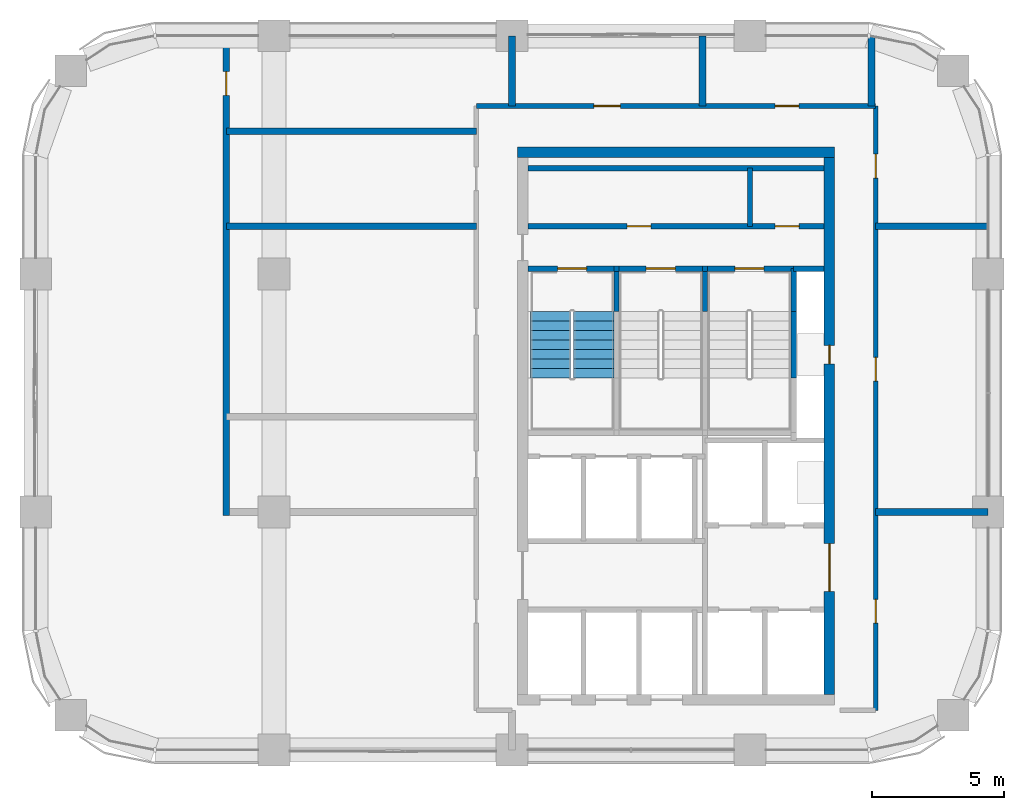
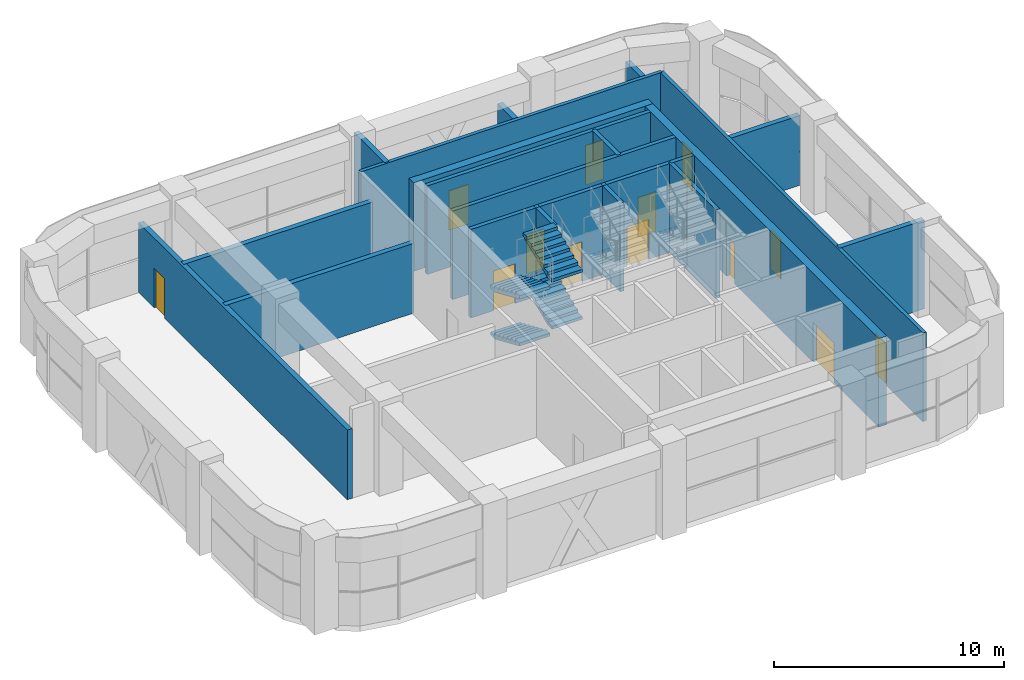
# One storey, part 9 of 15: 25 walls, 13 doors, 4 stair flights, 13 openings, 1 element without a shape of its own.
"""IFC4 building model written with IfcOpenShell, lengths in metres."""

from ifc_helpers import new_model, si_unit, direction, frame, frame_2d, origin, place, context, subcontext, project, spatial, polyline, rectangle, outline, extrude, material, layer, layer_set, type_object, element, fill, aggregate, save


model = new_model("IFC4")

# Units and contexts
model_context = context("Model", 3, precision=1e-05, world=origin(), true_north=direction((0.0, 1.0)))
body_context = subcontext(model_context, "Body", "Model", "MODEL_VIEW")
ifc_project = project(units=[si_unit("LENGTHUNIT", "METRE"), si_unit("AREAUNIT", "SQUARE_METRE"), si_unit("VOLUMEUNIT", "CUBIC_METRE"), si_unit("PLANEANGLEUNIT", "RADIAN"), si_unit("MASSUNIT", "GRAM", prefix="KILO")], contexts=[model_context])

# Site, building, storey
site_placement = place(None, origin())
site = spatial("IfcSite", under=ifc_project, at=site_placement, CompositionType="ELEMENT")
building_placement = place(site_placement, origin())
building = spatial("IfcBuilding", under=site, at=building_placement, Name="Tessera Arch", CompositionType="ELEMENT")
storey_placement = place(building_placement, frame((0.0, 0.0, 285.199951171875)))
storey = spatial("IfcBuildingStorey", under=building, at=storey_placement, Name="L69", CompositionType="ELEMENT", Elevation=285.199951171875)

# Wall
ifc_material_1 = material(Name="Gypsum board on steel stud", Category="steel")
ifc_layer_1 = layer(ifc_material_1, 0.125)
ifc_layer_set_1 = layer_set([ifc_layer_1], Name="Core partition 125 EI 60")
wall_type_1 = type_object("IfcWallType", Name="Core partition 125 EI 60", PredefinedType="PARTITIONING", material=ifc_layer_set_1)
wall_1_placement = place(storey_placement, frame((45.0, 46.800048828125, 0.0), z_axis=(0.0, 0.0, 1.0), x_axis=(0.0, 1.0, 0.0)))
element("IfcWall", 1, at=wall_1_placement, inside=storey, type_object=wall_type_1, Name="L69 C1 partition wall 14", PredefinedType="PARTITIONING", context=body_context, shape_type="SweptSolid", body=[
    extrude(rectangle(XDim=2.199951171875, YDim=0.199951171875, at=frame_2d((1.10009765625, 0.0))), origin(), (0.0, 0.0, 1.0), 4.699951171875),
])

# Wall, openings, doors
wall_2_placement = place(storey_placement, frame((36.60009765625, 46.800048828125, 0.0), z_axis=(0.0, 0.0, 1.0), x_axis=(1.0, 0.0, 0.0)))
wall_2 = element("IfcWall", 2, at=wall_2_placement, inside=storey, type_object=wall_type_1, Name="L69 C1 partition wall 38", PredefinedType="PARTITIONING", context=body_context, shape_type="SweptSolid", body=[
    extrude(rectangle(XDim=11.199951171875, YDim=0.199951171875, at=frame_2d((5.60009765625, 0.0))), origin(), (0.0, 0.0, 1.0), 4.699951171875),
])
opening_1_placement = place(wall_2_placement, frame((3.75, 0.0, 0.0)))
opening_1 = element("IfcOpeningElement", 3, at=opening_1_placement, cuts=wall_2, Name="Opening L69-C18", PredefinedType="OPENING", context=body_context, shape_type="SweptSolid", body=[
    extrude(rectangle(XDim=0.89990234375, YDim=2.10009765625, at=frame_2d((0.449951171875, 1.050048828125))), frame((0.0, 0.10986328125, 0.0), z_axis=(0.0, -1.0, 0.0), x_axis=(1.0, 0.0, 0.0)), (0.0, 0.0, 1.0), 0.219970703125),
])
opening_2_placement = place(wall_2_placement, frame((9.35009765625, 0.0, 0.0)))
opening_2 = element("IfcOpeningElement", 4, at=opening_2_placement, cuts=wall_2, Name="Opening L69-C19", PredefinedType="OPENING", context=body_context, shape_type="SweptSolid", body=[
    extrude(rectangle(XDim=0.89990234375, YDim=2.10009765625, at=frame_2d((0.449951171875, 1.050048828125))), frame((0.0, 0.10986328125, 0.0), z_axis=(0.0, -1.0, 0.0), x_axis=(1.0, 0.0, 0.0)), (0.0, 0.0, 1.0), 0.219970703125),
])
ifc_material_2 = material(Name="Steel door leaf", Category="steel")
door_type_1 = type_object("IfcDoorType", Name="Store door FD30S 900 x 2100", OperationType="SINGLE_SWING_LEFT", PredefinedType="DOOR", material=ifc_material_2)
door_1_placement = place(opening_1_placement, origin())
door_1 = element("IfcDoor", 5, at=door_1_placement, inside=storey, type_object=door_type_1, Name="L69 C1 door 18 C18 type D09", OperationType="SINGLE_SWING_LEFT", OverallHeight=2.10009765625, OverallWidth=0.89990234375, PredefinedType="DOOR", context=body_context, shape_type="SweptSolid", body=[
    extrude(rectangle(XDim=0.89990234375, YDim=2.10009765625, at=frame_2d((0.449951171875, 1.050048828125))), frame((0.0, 0.02490234375, 0.0), z_axis=(0.0, -1.0, 0.0), x_axis=(1.0, 0.0, 0.0)), (0.0, 0.0, 1.0), 0.050048828125),
])
fill(opening_1, door_1)
door_2_placement = place(opening_2_placement, origin())
door_2 = element("IfcDoor", 6, at=door_2_placement, inside=storey, type_object=door_type_1, Name="L69 C1 door 19 C19 type D09", OperationType="SINGLE_SWING_RIGHT", OverallHeight=2.10009765625, OverallWidth=0.89990234375, PredefinedType="DOOR", context=body_context, shape_type="SweptSolid", body=[
    extrude(rectangle(XDim=0.89990234375, YDim=2.10009765625, at=frame_2d((0.449951171875, 1.050048828125))), frame((0.0, 0.02490234375, 0.0), z_axis=(0.0, -1.0, 0.0), x_axis=(1.0, 0.0, 0.0)), (0.0, 0.0, 1.0), 0.050048828125),
])
fill(opening_2, door_2)

# Walls
wall_3_placement = place(storey_placement, frame((36.60009765625, 49.0, 0.0), z_axis=(0.0, 0.0, 1.0), x_axis=(1.0, 0.0, 0.0)))
element("IfcWall", 7, at=wall_3_placement, inside=storey, type_object=wall_type_1, Name="L69 C1 partition wall 39", PredefinedType="PARTITIONING", context=body_context, shape_type="SweptSolid", body=[
    extrude(rectangle(XDim=11.199951171875, YDim=0.199951171875, at=frame_2d((5.60009765625, 0.0))), origin(), (0.0, 0.0, 1.0), 4.699951171875),
])
ifc_material_3 = material(Name="Concrete C50/60", Category="concrete")
ifc_layer_2 = layer(ifc_material_3, 0.39990234375)
ifc_layer_set_2 = layer_set([ifc_layer_2], Name="Core shell wall 400 C50-60")
wall_type_2 = type_object("IfcWallType", Name="Core shell wall 400 C50-60", PredefinedType="SHEAR", material=ifc_layer_set_2)
wall_4_placement = place(storey_placement, frame((36.199951171875, 49.60009765625, 0.0), z_axis=(0.0, 0.0, 1.0), x_axis=(1.0, 0.0, 0.0)))
element("IfcWall", 8, at=wall_4_placement, inside=storey, type_object=wall_type_2, Name="L69 C1 core wall N", PredefinedType="SHEAR", context=body_context, shape_type="SweptSolid", body=[
    extrude(rectangle(XDim=12.0, YDim=0.39990234375, at=frame_2d((6.0, 0.0))), origin(), (0.0, 0.0, 1.0), 4.699951171875),
])

# Wall, openings, doors
wall_5_placement = place(storey_placement, frame((48.0, 29.10009765625, 0.0), z_axis=(0.0, 0.0, 1.0), x_axis=(0.0, 1.0, 0.0)))
wall_5 = element("IfcWall", 9, at=wall_5_placement, inside=storey, type_object=wall_type_2, Name="L69 C1 core wall E", PredefinedType="SHEAR", context=body_context, shape_type="SweptSolid", body=[
    extrude(rectangle(XDim=20.2998046875, YDim=0.39990234375, at=frame_2d((10.14990234375, 0.0))), origin(), (0.0, 0.0, 1.0), 4.699951171875),
])
opening_3_placement = place(wall_5_placement, frame((12.5, 0.0, 0.0)))
opening_3 = element("IfcOpeningElement", 10, at=opening_3_placement, cuts=wall_5, Name="Opening L69-C14", PredefinedType="OPENING", context=body_context, shape_type="SweptSolid", body=[
    extrude(rectangle(XDim=0.699951171875, YDim=2.10009765625, at=frame_2d((0.35009765625, 1.050048828125))), frame((0.0, 0.2099609375, 0.0), z_axis=(0.0, -1.0, 0.0), x_axis=(1.0, 0.0, 0.0)), (0.0, 0.0, 1.0), 0.419921875),
])
opening_4_placement = place(wall_5_placement, frame((3.89990234375, 0.0, 0.0)))
opening_4 = element("IfcOpeningElement", 11, at=opening_4_placement, cuts=wall_5, Name="Opening L69-C15", PredefinedType="OPENING", context=body_context, shape_type="SweptSolid", body=[
    extrude(rectangle(XDim=1.800048828125, YDim=2.10009765625, at=frame_2d((0.89990234375, 1.050048828125))), frame((0.0, 0.2099609375, 0.0), z_axis=(0.0, -1.0, 0.0), x_axis=(1.0, 0.0, 0.0)), (0.0, 0.0, 1.0), 0.419921875),
])
ifc_material_4 = material(Name="Glazed steel door leaf", Category="steel")
door_type_2 = type_object("IfcDoorType", Name="Lobby double door FD60 1800 x 2100", OperationType="DOUBLE_DOOR_SINGLE_SWING", PredefinedType="DOOR", material=ifc_material_4)
door_3_placement = place(opening_4_placement, origin())
door_3 = element("IfcDoor", 12, at=door_3_placement, inside=storey, type_object=door_type_2, Name="L69 C1 door 15 C15 type D19", OperationType="DOUBLE_DOOR_SINGLE_SWING", OverallHeight=2.10009765625, OverallWidth=1.800048828125, PredefinedType="DOOR", context=body_context, shape_type="SweptSolid", body=[
    extrude(rectangle(XDim=1.800048828125, YDim=2.10009765625, at=frame_2d((0.89990234375, 1.050048828125))), frame((0.0, 0.02490234375, 0.0), z_axis=(0.0, -1.0, 0.0), x_axis=(1.0, 0.0, 0.0)), (0.0, 0.0, 1.0), 0.050048828125),
])
fill(opening_4, door_3)
ifc_material_5 = material(Name="Steel door leaf", Category="steel")
door_type_3 = type_object("IfcDoorType", Name="Service shaft door FD60 700 x 2100", OperationType="SINGLE_SWING_LEFT", PredefinedType="DOOR", material=ifc_material_5)
door_4_placement = place(opening_3_placement, origin())
door_4 = element("IfcDoor", 13, at=door_4_placement, inside=storey, type_object=door_type_3, Name="L69 C1 door 14 C14 type D07", OperationType="SINGLE_SWING_RIGHT", OverallHeight=2.10009765625, OverallWidth=0.699951171875, PredefinedType="DOOR", context=body_context, shape_type="SweptSolid", body=[
    extrude(rectangle(XDim=0.699951171875, YDim=2.10009765625, at=frame_2d((0.35009765625, 1.050048828125))), frame((0.0, 0.02490234375, 0.0), z_axis=(0.0, -1.0, 0.0), x_axis=(1.0, 0.0, 0.0)), (0.0, 0.0, 1.0), 0.050048828125),
])
fill(opening_3, door_4)

ifc_material_6 = material(Name="Gypsum board on deep steel stud with mineral wool", Category="steel")
ifc_layer_3 = layer(ifc_material_6, 0.175048828125)
ifc_layer_set_3 = layer_set([ifc_layer_3], Name="Corridor wall 175 EI 60")
wall_type_3 = type_object("IfcWallType", Name="Corridor wall 175 EI 60", PredefinedType="PARTITIONING", material=ifc_layer_set_3)
wall_6_placement = place(storey_placement, frame((34.64990234375, 51.35009765625, 0.0), z_axis=(0.0, 0.0, 1.0), x_axis=(1.0, 0.0, 0.0)))
wall_6 = element("IfcWall", 14, at=wall_6_placement, inside=storey, type_object=wall_type_3, Name="L69 partition 3", PredefinedType="PARTITIONING", context=body_context, shape_type="SweptSolid", body=[
    extrude(rectangle(XDim=15.10009765625, YDim=0.175048828125, at=frame_2d((7.550048828125, 0.0))), origin(), (0.0, 0.0, 1.0), 4.699951171875),
])
opening_5_placement = place(wall_6_placement, frame((4.449951171875, 0.0, 0.0)))
opening_5 = element("IfcOpeningElement", 15, at=opening_5_placement, cuts=wall_6, Name="Opening L69-D008", PredefinedType="OPENING", context=body_context, shape_type="SweptSolid", body=[
    extrude(rectangle(XDim=1.0, YDim=2.10009765625, at=frame_2d((0.5, 1.050048828125))), frame((0.0, 0.097412109375, 0.0), z_axis=(0.0, -1.0, 0.0), x_axis=(1.0, 0.0, 0.0)), (0.0, 0.0, 1.0), 0.195068359375),
])
opening_6_placement = place(wall_6_placement, frame((11.294189453125, 0.0, 0.0)))
opening_6 = element("IfcOpeningElement", 16, at=opening_6_placement, cuts=wall_6, Name="Opening L69-D009", PredefinedType="OPENING", context=body_context, shape_type="SweptSolid", body=[
    extrude(rectangle(XDim=0.89990234375, YDim=2.10009765625, at=frame_2d((0.449951171875, 1.050048828125))), frame((0.0, 0.097412109375, 0.0), z_axis=(0.0, -1.0, 0.0), x_axis=(1.0, 0.0, 0.0)), (0.0, 0.0, 1.0), 0.195068359375),
])
ifc_material_7 = material(Name="Fire-rated door leaf")
door_type_4 = type_object("IfcDoorType", Name="Entrance door FD30S 1000 x 2100", OperationType="SINGLE_SWING_LEFT", PredefinedType="DOOR", material=ifc_material_7)
door_5_placement = place(opening_5_placement, origin())
door_5 = element("IfcDoor", 17, at=door_5_placement, inside=storey, type_object=door_type_4, Name="L69 door D008 type D03", OperationType="SINGLE_SWING_LEFT", OverallHeight=2.10009765625, OverallWidth=1.0, PredefinedType="DOOR", context=body_context, shape_type="SweptSolid", body=[
    extrude(rectangle(XDim=1.0, YDim=2.10009765625, at=frame_2d((0.5, 1.050048828125))), frame((0.0, 0.02490234375, 0.0), z_axis=(0.0, -1.0, 0.0), x_axis=(1.0, 0.0, 0.0)), (0.0, 0.0, 1.0), 0.050048828125),
])
fill(opening_5, door_5)
ifc_material_8 = material(Name="Timber door leaf", Category="wood")
door_type_5 = type_object("IfcDoorType", Name="Room door 900 x 2100", OperationType="SINGLE_SWING_LEFT", PredefinedType="DOOR", material=ifc_material_8)
door_6_placement = place(opening_6_placement, origin())
door_6 = element("IfcDoor", 18, at=door_6_placement, inside=storey, type_object=door_type_5, Name="L69 door D009 type D01", OperationType="SINGLE_SWING_RIGHT", OverallHeight=2.10009765625, OverallWidth=0.89990234375, PredefinedType="DOOR", context=body_context, shape_type="SweptSolid", body=[
    extrude(rectangle(XDim=0.89990234375, YDim=2.10009765625, at=frame_2d((0.449951171875, 1.050048828125))), frame((0.0, 0.02490234375, 0.0), z_axis=(0.0, -1.0, 0.0), x_axis=(1.0, 0.0, 0.0)), (0.0, 0.0, 1.0), 0.050048828125),
])
fill(opening_6, door_6)

wall_7_placement = place(storey_placement, frame((49.75, 28.5, 0.0), z_axis=(0.0, 0.0, 1.0), x_axis=(0.0, 1.0, 0.0)))
wall_7 = element("IfcWall", 19, at=wall_7_placement, inside=storey, type_object=wall_type_3, Name="L69 partition 5", PredefinedType="PARTITIONING", context=body_context, shape_type="SweptSolid", body=[
    extrude(rectangle(XDim=22.85009765625, YDim=0.175048828125, at=frame_2d((11.425048828125, 0.0))), origin(), (0.0, 0.0, 1.0), 4.699951171875),
])
opening_7_placement = place(wall_7_placement, frame((3.300048828125, 0.0, 0.0)))
opening_7 = element("IfcOpeningElement", 20, at=opening_7_placement, cuts=wall_7, Name="Opening L69-D001", PredefinedType="OPENING", context=body_context, shape_type="SweptSolid", body=[
    extrude(rectangle(XDim=0.89990234375, YDim=2.10009765625, at=frame_2d((0.449951171875, 1.050048828125))), frame((0.0, 0.097412109375, 0.0), z_axis=(0.0, -1.0, 0.0), x_axis=(1.0, 0.0, 0.0)), (0.0, 0.0, 1.0), 0.195068359375),
])
opening_8_placement = place(wall_7_placement, frame((12.449951171875, 0.0, 0.0)))
opening_8 = element("IfcOpeningElement", 21, at=opening_8_placement, cuts=wall_7, Name="Opening L69-D004", PredefinedType="OPENING", context=body_context, shape_type="SweptSolid", body=[
    extrude(rectangle(XDim=0.89990234375, YDim=2.10009765625, at=frame_2d((0.449951171875, 1.050048828125))), frame((0.0, 0.097412109375, 0.0), z_axis=(0.0, -1.0, 0.0), x_axis=(1.0, 0.0, 0.0)), (0.0, 0.0, 1.0), 0.195068359375),
])
opening_9_placement = place(wall_7_placement, frame((20.125, 0.0, 0.0)))
opening_9 = element("IfcOpeningElement", 22, at=opening_9_placement, cuts=wall_7, Name="Opening L69-D007", PredefinedType="OPENING", context=body_context, shape_type="SweptSolid", body=[
    extrude(rectangle(XDim=0.89990234375, YDim=2.10009765625, at=frame_2d((0.449951171875, 1.050048828125))), frame((0.0, 0.097412109375, 0.0), z_axis=(0.0, -1.0, 0.0), x_axis=(1.0, 0.0, 0.0)), (0.0, 0.0, 1.0), 0.195068359375),
])
door_7_placement = place(opening_7_placement, origin())
door_7 = element("IfcDoor", 23, at=door_7_placement, inside=storey, type_object=door_type_5, Name="L69 door D001 type D01", OperationType="SINGLE_SWING_RIGHT", OverallHeight=2.10009765625, OverallWidth=0.89990234375, PredefinedType="DOOR", context=body_context, shape_type="SweptSolid", body=[
    extrude(rectangle(XDim=0.89990234375, YDim=2.10009765625, at=frame_2d((0.449951171875, 1.050048828125))), frame((0.0, 0.02490234375, 0.0), z_axis=(0.0, -1.0, 0.0), x_axis=(1.0, 0.0, 0.0)), (0.0, 0.0, 1.0), 0.050048828125),
])
fill(opening_7, door_7)
door_8_placement = place(opening_8_placement, origin())
door_8 = element("IfcDoor", 24, at=door_8_placement, inside=storey, type_object=door_type_5, Name="L69 door D004 type D01", OperationType="SINGLE_SWING_LEFT", OverallHeight=2.10009765625, OverallWidth=0.89990234375, PredefinedType="DOOR", context=body_context, shape_type="SweptSolid", body=[
    extrude(rectangle(XDim=0.89990234375, YDim=2.10009765625, at=frame_2d((0.449951171875, 1.050048828125))), frame((0.0, 0.02490234375, 0.0), z_axis=(0.0, -1.0, 0.0), x_axis=(1.0, 0.0, 0.0)), (0.0, 0.0, 1.0), 0.050048828125),
])
fill(opening_8, door_8)
door_9_placement = place(opening_9_placement, origin())
door_9 = element("IfcDoor", 25, at=door_9_placement, inside=storey, type_object=door_type_5, Name="L69 door D007 type D01", OperationType="SINGLE_SWING_RIGHT", OverallHeight=2.10009765625, OverallWidth=0.89990234375, PredefinedType="DOOR", context=body_context, shape_type="SweptSolid", body=[
    extrude(rectangle(XDim=0.89990234375, YDim=2.10009765625, at=frame_2d((0.449951171875, 1.050048828125))), frame((0.0, 0.02490234375, 0.0), z_axis=(0.0, -1.0, 0.0), x_axis=(1.0, 0.0, 0.0)), (0.0, 0.0, 1.0), 0.050048828125),
])
fill(opening_9, door_9)

# Walls
ifc_material_9 = material(Name="Double gypsum board on twin steel stud with acoustic mineral wool", Category="steel")
ifc_layer_4 = layer(ifc_material_9, 0.25)
ifc_layer_set_4 = layer_set([ifc_layer_4], Name="Party wall 250 EI 60")
wall_type_4 = type_object("IfcWallType", Name="Party wall 250 EI 60", PredefinedType="PARTITIONING", material=ifc_layer_set_4)
wall_8_placement = place(storey_placement, frame((49.75, 36.0, 0.0), z_axis=(0.0, 0.0, 1.0), x_axis=(1.0, 0.0, 0.0)))
element("IfcWall", 26, at=wall_8_placement, inside=storey, type_object=wall_type_4, Name="L69 partition 7", PredefinedType="PARTITIONING", context=body_context, shape_type="SweptSolid", body=[
    extrude(rectangle(XDim=4.25, YDim=0.25, at=frame_2d((2.125, 0.0))), origin(), (0.0, 0.0, 1.0), 4.699951171875),
])
wall_9_placement = place(storey_placement, frame((25.199951171875, 46.800048828125, 0.0), z_axis=(0.0, 0.0, 1.0), x_axis=(1.0, 0.0, 0.0)))
element("IfcWall", 27, at=wall_9_placement, inside=storey, type_object=wall_type_4, Name="L69 partition 9", PredefinedType="PARTITIONING", context=body_context, shape_type="SweptSolid", body=[
    extrude(rectangle(XDim=9.449951171875, YDim=0.25, at=frame_2d((4.72509765625, 0.0))), origin(), (0.0, 0.0, 1.0), 3.699951171875),
])
wall_10_placement = place(storey_placement, frame((49.75, 46.800048828125, 0.0), z_axis=(0.0, 0.0, 1.0), x_axis=(1.0, 0.0, 0.0)))
element("IfcWall", 28, at=wall_10_placement, inside=storey, type_object=wall_type_4, Name="L69 partition 10", PredefinedType="PARTITIONING", context=body_context, shape_type="SweptSolid", body=[
    extrude(rectangle(XDim=4.25, YDim=0.25, at=frame_2d((2.125, 0.0))), origin(), (0.0, 0.0, 1.0), 3.699951171875),
])
wall_11_placement = place(storey_placement, frame((25.199951171875, 50.39990234375, 0.0), z_axis=(0.0, 0.0, 1.0), x_axis=(1.0, 0.0, 0.0)))
element("IfcWall", 29, at=wall_11_placement, inside=storey, type_object=wall_type_4, Name="L69 partition 11", PredefinedType="PARTITIONING", context=body_context, shape_type="SweptSolid", body=[
    extrude(rectangle(XDim=9.449951171875, YDim=0.25, at=frame_2d((4.72509765625, 0.0))), origin(), (0.0, 0.0, 1.0), 3.699951171875),
])

# Wall, opening, door
wall_12_placement = place(storey_placement, frame((25.199951171875, 35.875, 0.0), z_axis=(0.0, 0.0, 1.0), x_axis=(0.0, 1.0, 0.0)))
wall_12 = element("IfcWall", 30, at=wall_12_placement, inside=storey, type_object=wall_type_4, Name="L69 partition 12", PredefinedType="PARTITIONING", context=body_context, shape_type="SweptSolid", body=[
    extrude(rectangle(XDim=18.125, YDim=0.25, at=frame_2d((9.0625, 0.0))), origin(), (0.0, 0.0, 1.0), 3.699951171875),
])
opening_10_placement = place(wall_12_placement, frame((15.875, 0.0, 0.0)))
opening_10 = element("IfcOpeningElement", 31, at=opening_10_placement, cuts=wall_12, Name="Opening L69-D010", PredefinedType="OPENING", context=body_context, shape_type="SweptSolid", body=[
    extrude(rectangle(XDim=0.89990234375, YDim=2.10009765625, at=frame_2d((0.449951171875, 1.050048828125))), frame((0.0, 0.135009765625, 0.0), z_axis=(0.0, -1.0, 0.0), x_axis=(1.0, 0.0, 0.0)), (0.0, 0.0, 1.0), 0.27001953125),
])
door_10_placement = place(opening_10_placement, origin())
door_10 = element("IfcDoor", 32, at=door_10_placement, inside=storey, type_object=door_type_5, Name="L69 door D010 type D01", OperationType="SINGLE_SWING_LEFT", OverallHeight=2.10009765625, OverallWidth=0.89990234375, PredefinedType="DOOR", context=body_context, shape_type="SweptSolid", body=[
    extrude(rectangle(XDim=0.89990234375, YDim=2.10009765625, at=frame_2d((0.449951171875, 1.050048828125))), frame((0.0, 0.02490234375, 0.0), z_axis=(0.0, -1.0, 0.0), x_axis=(1.0, 0.0, 0.0)), (0.0, 0.0, 1.0), 0.050048828125),
])
fill(opening_10, door_10)

# Walls
wall_13_placement = place(storey_placement, frame((36.0, 51.35009765625, 0.0), z_axis=(0.0, 0.0, 1.0), x_axis=(0.0, 1.0, 0.0)))
element("IfcWall", 33, at=wall_13_placement, inside=storey, type_object=wall_type_4, Name="L69 partition 14", PredefinedType="PARTITIONING", context=body_context, shape_type="SweptSolid", body=[
    extrude(rectangle(XDim=2.64990234375, YDim=0.25, at=frame_2d((1.324951171875, 0.0))), origin(), (0.0, 0.0, 1.0), 4.699951171875),
])
wall_14_placement = place(storey_placement, frame((43.199951171875, 51.35009765625, 0.0), z_axis=(0.0, 0.0, 1.0), x_axis=(0.0, 1.0, 0.0)))
element("IfcWall", 34, at=wall_14_placement, inside=storey, type_object=wall_type_4, Name="L69 partition 15", PredefinedType="PARTITIONING", context=body_context, shape_type="SweptSolid", body=[
    extrude(rectangle(XDim=2.64990234375, YDim=0.25, at=frame_2d((1.324951171875, 0.0))), origin(), (0.0, 0.0, 1.0), 3.699951171875),
])
wall_15_placement = place(storey_placement, frame((49.589111328125, 51.35009765625, 0.0), z_axis=(0.0, 0.0, 1.0), x_axis=(0.0, 1.0, 0.0)))
element("IfcWall", 35, at=wall_15_placement, inside=storey, type_object=wall_type_4, Name="L69 partition 16", PredefinedType="PARTITIONING", context=body_context, shape_type="SweptSolid", body=[
    extrude(rectangle(XDim=2.63232421875, YDim=0.25, at=frame_2d((1.316162109375, 0.0))), origin(), (0.0, 0.0, 1.0), 3.699951171875),
])
ifc_material_10 = material(Name="Concrete C40/50", Category="concrete")
ifc_layer_5 = layer(ifc_material_10, 0.199951171875)
ifc_layer_set_5 = layer_set([ifc_layer_5], Name="Shaft wall 200 EI 120")
wall_type_5 = type_object("IfcWallType", Name="Shaft wall 200 EI 120", PredefinedType="SOLIDWALL", material=ifc_layer_set_5)
wall_16_placement = place(storey_placement, frame((46.64990234375, 45.199951171875, 0.0), z_axis=(0.0, 0.0, 1.0), x_axis=(1.0, 0.0, 0.0)))
element("IfcWall", 36, at=wall_16_placement, inside=storey, type_object=wall_type_5, Name="L69 C1 shaft wall 32", PredefinedType="SOLIDWALL", context=body_context, shape_type="SweptSolid", body=[
    extrude(rectangle(XDim=1.150146484375, YDim=0.199951171875, at=frame_2d((0.5751953125, 0.0))), origin(), (0.0, 0.0, 1.0), 4.699951171875),
])
ifc_material_11 = material(Name="Concrete C40/50", Category="concrete")
ifc_layer_6 = layer(ifc_material_11, 0.199951171875)
ifc_layer_set_6 = layer_set([ifc_layer_6], Name="Stair well wall 200 REI 180")
wall_type_6 = type_object("IfcWallType", Name="Stair well wall 200 REI 180", PredefinedType="SOLIDWALL", material=ifc_layer_set_6)
for number, where, z_axis, x_axis, name in (
    (37, (39.949951171875, 43.580078125, 0.0), (0.0, 0.0, 1.0), (0.0, 1.0, 0.0), "L69 C1 shaft wall 5"),
    (38, (43.300048828125, 43.580078125, 0.0), (0.0, 0.0, 1.0), (0.0, 1.0, 0.0), "L69 C1 shaft wall 13"),
):
    element("IfcWall", number, at=place(storey_placement, frame(where, z_axis=z_axis, x_axis=x_axis)), inside=storey, type_object=wall_type_6, Name=name, PredefinedType="SOLIDWALL", context=body_context, shape_type="SweptSolid", body=[
        extrude(rectangle(XDim=1.619873046875, YDim=0.199951171875, at=frame_2d((0.81005859375, 0.0))), origin(), (0.0, 0.0, 1.0), 4.699951171875),
    ])
wall_17_placement = place(storey_placement, frame((46.64990234375, 41.06005859375, 0.0), z_axis=(0.0, 0.0, 1.0), x_axis=(0.0, 1.0, 0.0)))
element("IfcWall", 39, at=wall_17_placement, inside=storey, type_object=wall_type_6, Name="L69 C1 shaft wall 19", PredefinedType="SOLIDWALL", context=body_context, shape_type="SweptSolid", body=[
    extrude(rectangle(XDim=2.52001953125, YDim=0.199951171875, at=frame_2d((1.260009765625, 0.0))), origin(), (0.0, 0.0, 1.0), 4.699951171875),
])
wall_18_placement = place(storey_placement, frame((46.64990234375, 43.580078125, 0.0), z_axis=(0.0, 0.0, 1.0), x_axis=(0.0, 1.0, 0.0)))
element("IfcWall", 40, at=wall_18_placement, inside=storey, type_object=wall_type_6, Name="L69 C1 shaft wall 20", PredefinedType="SOLIDWALL", context=body_context, shape_type="SweptSolid", body=[
    extrude(rectangle(XDim=1.619873046875, YDim=0.199951171875, at=frame_2d((0.81005859375, 0.0))), origin(), (0.0, 0.0, 1.0), 4.699951171875),
])

# Wall, opening, door
wall_19_placement = place(storey_placement, frame((36.60009765625, 45.199951171875, 0.0), z_axis=(0.0, 0.0, 1.0), x_axis=(1.0, 0.0, 0.0)))
wall_19 = element("IfcWall", 41, at=wall_19_placement, inside=storey, type_object=wall_type_6, Name="L69 C1 shaft wall 33", PredefinedType="SOLIDWALL", context=body_context, shape_type="SweptSolid", body=[
    extrude(rectangle(XDim=3.25, YDim=0.199951171875, at=frame_2d((1.625, 0.0))), origin(), (0.0, 0.0, 1.0), 4.699951171875),
])
opening_11_placement = place(wall_19_placement, frame((1.125, 0.0, 0.0)))
opening_11 = element("IfcOpeningElement", 42, at=opening_11_placement, cuts=wall_19, Name="Opening L69-C11", PredefinedType="OPENING", context=body_context, shape_type="SweptSolid", body=[
    extrude(rectangle(XDim=1.10009765625, YDim=2.10009765625, at=frame_2d((0.550048828125, 1.050048828125))), frame((0.0, 0.10986328125, 0.0), z_axis=(0.0, -1.0, 0.0), x_axis=(1.0, 0.0, 0.0)), (0.0, 0.0, 1.0), 0.219970703125),
])
ifc_material_12 = material(Name="Steel door leaf", Category="steel")
door_type_6 = type_object("IfcDoorType", Name="Stair door FD60 1100 x 2100", OperationType="SINGLE_SWING_LEFT", PredefinedType="DOOR", material=ifc_material_12)
door_11_placement = place(opening_11_placement, origin())
door_11 = element("IfcDoor", 43, at=door_11_placement, inside=storey, type_object=door_type_6, Name="L69 C1 door 11 C11 type D05", OperationType="SINGLE_SWING_RIGHT", OverallHeight=2.10009765625, OverallWidth=1.10009765625, PredefinedType="DOOR", context=body_context, shape_type="SweptSolid", body=[
    extrude(rectangle(XDim=1.10009765625, YDim=2.10009765625, at=frame_2d((0.550048828125, 1.050048828125))), frame((0.0, 0.02490234375, 0.0), z_axis=(0.0, -1.0, 0.0), x_axis=(1.0, 0.0, 0.0)), (0.0, 0.0, 1.0), 0.050048828125),
])
fill(opening_11, door_11)

# Wall
wall_20_placement = place(storey_placement, frame((39.85009765625, 45.199951171875, 0.0), z_axis=(0.0, 0.0, 1.0), x_axis=(1.0, 0.0, 0.0)))
element("IfcWall", 44, at=wall_20_placement, inside=storey, type_object=wall_type_6, Name="L69 C1 shaft wall 34", PredefinedType="SOLIDWALL", context=body_context, shape_type="SweptSolid", body=[
    extrude(rectangle(XDim=0.199951171875, YDim=0.199951171875, at=frame_2d((0.10009765625, 0.0))), origin(), (0.0, 0.0, 1.0), 4.699951171875),
])

# Wall, opening, door
wall_21_placement = place(storey_placement, frame((40.050048828125, 45.199951171875, 0.0), z_axis=(0.0, 0.0, 1.0), x_axis=(1.0, 0.0, 0.0)))
wall_21 = element("IfcWall", 45, at=wall_21_placement, inside=storey, type_object=wall_type_6, Name="L69 C1 shaft wall 35", PredefinedType="SOLIDWALL", context=body_context, shape_type="SweptSolid", body=[
    extrude(rectangle(XDim=3.14990234375, YDim=0.199951171875, at=frame_2d((1.574951171875, 0.0))), origin(), (0.0, 0.0, 1.0), 4.699951171875),
])
opening_12_placement = place(wall_21_placement, frame((1.02490234375, 0.0, 0.0)))
opening_12 = element("IfcOpeningElement", 46, at=opening_12_placement, cuts=wall_21, Name="Opening L69-C12", PredefinedType="OPENING", context=body_context, shape_type="SweptSolid", body=[
    extrude(rectangle(XDim=1.10009765625, YDim=2.10009765625, at=frame_2d((0.550048828125, 1.050048828125))), frame((0.0, 0.10986328125, 0.0), z_axis=(0.0, -1.0, 0.0), x_axis=(1.0, 0.0, 0.0)), (0.0, 0.0, 1.0), 0.219970703125),
])
door_12_placement = place(opening_12_placement, origin())
door_12 = element("IfcDoor", 47, at=door_12_placement, inside=storey, type_object=door_type_6, Name="L69 C1 door 12 C12 type D05", OperationType="SINGLE_SWING_LEFT", OverallHeight=2.10009765625, OverallWidth=1.10009765625, PredefinedType="DOOR", context=body_context, shape_type="SweptSolid", body=[
    extrude(rectangle(XDim=1.10009765625, YDim=2.10009765625, at=frame_2d((0.550048828125, 1.050048828125))), frame((0.0, 0.02490234375, 0.0), z_axis=(0.0, -1.0, 0.0), x_axis=(1.0, 0.0, 0.0)), (0.0, 0.0, 1.0), 0.050048828125),
])
fill(opening_12, door_12)

# Wall
wall_22_placement = place(storey_placement, frame((43.199951171875, 45.199951171875, 0.0), z_axis=(0.0, 0.0, 1.0), x_axis=(1.0, 0.0, 0.0)))
element("IfcWall", 48, at=wall_22_placement, inside=storey, type_object=wall_type_6, Name="L69 C1 shaft wall 36", PredefinedType="SOLIDWALL", context=body_context, shape_type="SweptSolid", body=[
    extrude(rectangle(XDim=0.199951171875, YDim=0.199951171875, at=frame_2d((0.10009765625, 0.0))), origin(), (0.0, 0.0, 1.0), 4.699951171875),
])

# Wall, opening, door
wall_23_placement = place(storey_placement, frame((43.39990234375, 45.199951171875, 0.0), z_axis=(0.0, 0.0, 1.0), x_axis=(1.0, 0.0, 0.0)))
wall_23 = element("IfcWall", 49, at=wall_23_placement, inside=storey, type_object=wall_type_6, Name="L69 C1 shaft wall 37", PredefinedType="SOLIDWALL", context=body_context, shape_type="SweptSolid", body=[
    extrude(rectangle(XDim=3.25, YDim=0.199951171875, at=frame_2d((1.625, 0.0))), origin(), (0.0, 0.0, 1.0), 4.699951171875),
])
opening_13_placement = place(wall_23_placement, frame((1.02490234375, 0.0, 0.0)))
opening_13 = element("IfcOpeningElement", 50, at=opening_13_placement, cuts=wall_23, Name="Opening L69-C13", PredefinedType="OPENING", context=body_context, shape_type="SweptSolid", body=[
    extrude(rectangle(XDim=1.10009765625, YDim=2.10009765625, at=frame_2d((0.550048828125, 1.050048828125))), frame((0.0, 0.10986328125, 0.0), z_axis=(0.0, -1.0, 0.0), x_axis=(1.0, 0.0, 0.0)), (0.0, 0.0, 1.0), 0.219970703125),
])
door_13_placement = place(opening_13_placement, origin())
door_13 = element("IfcDoor", 51, at=door_13_placement, inside=storey, type_object=door_type_6, Name="L69 C1 door 13 C13 type D05", OperationType="SINGLE_SWING_LEFT", OverallHeight=2.10009765625, OverallWidth=1.10009765625, PredefinedType="DOOR", context=body_context, shape_type="SweptSolid", body=[
    extrude(rectangle(XDim=1.10009765625, YDim=2.10009765625, at=frame_2d((0.550048828125, 1.050048828125))), frame((0.0, 0.02490234375, 0.0), z_axis=(0.0, -1.0, 0.0), x_axis=(1.0, 0.0, 0.0)), (0.0, 0.0, 1.0), 0.050048828125),
])
fill(opening_13, door_13)

# Stair, stair flights
ifc_material_13 = material(Name="Concrete C40/50", Category="concrete")
stair_type = type_object("IfcStairType", Name="Dogleg stair 1520", PredefinedType="HALF_TURN_STAIR", material=ifc_material_13)
stair_placement = place(storey_placement, origin())
stair = element("IfcStair", 52, at=stair_placement, inside=storey, type_object=stair_type, Name="L69 S1a", PredefinedType="HALF_TURN_STAIR")
ifc_material_14 = material(Name="Concrete C40/50", Category="concrete")
stair_flight_type = type_object("IfcStairFlightType", Name="Stair flight 1520", PredefinedType="STRAIGHT", material=ifc_material_14)
stair_flight_1_placement = place(storey_placement, frame((37.4599609375, 43.580078125, 0.0), z_axis=(0.0, 0.0, 1.0), x_axis=(0.0, -1.0, 0.0)))
stair_flight_1 = element("IfcStairFlight", 53, at=stair_flight_1_placement, type_object=stair_flight_type, Name="S1a flight 1", NumberOfRisers=8, NumberOfTreads=7, PredefinedType="STRAIGHT", RiserHeight=0.15625, TreadLength=0.36, context=body_context, shape_type="SweptSolid", body=[
    extrude(outline(polyline([(0.0, 0.0), (0.0, 0.15625), (0.360107421875, 0.15625), (0.360107421875, 0.3125), (0.719970703125, 0.3125), (0.719970703125, 0.46875), (1.080078125, 0.46875), (1.080078125, 0.625), (1.43994140625, 0.625), (1.43994140625, 0.78125), (1.800048828125, 0.78125), (1.800048828125, 0.9375), (2.159912109375, 0.9375), (2.159912109375, 1.09375), (2.52001953125, 1.09375), (2.52001953125, 1.25), (2.52001953125, 0.930419921875), (0.37646484375, 0.0), (0.0, 0.0)])), frame((0.0, 0.760009765625, 0.0), z_axis=(0.0, -1.0, 0.0), x_axis=(1.0, 0.0, 0.0)), (0.0, 0.0, 1.0), 1.52001953125),
])
stair_flight_2_placement = place(storey_placement, frame((39.090087890625, 41.06005859375, 1.25), z_axis=(0.0, 0.0, 1.0), x_axis=(0.0, 1.0, 0.0)))
stair_flight_2 = element("IfcStairFlight", 54, at=stair_flight_2_placement, type_object=stair_flight_type, Name="S1a flight 2", NumberOfRisers=8, NumberOfTreads=7, PredefinedType="STRAIGHT", RiserHeight=0.15625, TreadLength=0.36, context=body_context, shape_type="SweptSolid", body=[
    extrude(outline(polyline([(0.0, 0.0), (0.0, 0.15625), (0.360107421875, 0.15625), (0.360107421875, 0.3125), (0.719970703125, 0.3125), (0.719970703125, 0.46875), (1.080078125, 0.46875), (1.080078125, 0.625), (1.43994140625, 0.625), (1.43994140625, 0.78125), (1.800048828125, 0.78125), (1.800048828125, 0.9375), (2.159912109375, 0.9375), (2.159912109375, 1.09375), (2.52001953125, 1.09375), (2.52001953125, 1.25), (2.52001953125, 0.930419921875), (0.37646484375, 0.0), (0.0, 0.0)])), frame((0.0, 0.760009765625, 0.0), z_axis=(0.0, -1.0, 0.0), x_axis=(1.0, 0.0, 0.0)), (0.0, 0.0, 1.0), 1.52001953125),
])
stair_flight_3_placement = place(storey_placement, frame((37.4599609375, 43.580078125, 2.5), z_axis=(0.0, 0.0, 1.0), x_axis=(0.0, -1.0, 0.0)))
stair_flight_3 = element("IfcStairFlight", 55, at=stair_flight_3_placement, type_object=stair_flight_type, Name="S1a flight 3", NumberOfRisers=8, NumberOfTreads=7, PredefinedType="STRAIGHT", RiserHeight=0.15625, TreadLength=0.36, context=body_context, shape_type="SweptSolid", body=[
    extrude(outline(polyline([(0.0, 0.0), (0.0, 0.15625), (0.360107421875, 0.15625), (0.360107421875, 0.3125), (0.719970703125, 0.3125), (0.719970703125, 0.46875), (1.080078125, 0.46875), (1.080078125, 0.625), (1.43994140625, 0.625), (1.43994140625, 0.78125), (1.800048828125, 0.78125), (1.800048828125, 0.9375), (2.159912109375, 0.9375), (2.159912109375, 1.09375), (2.52001953125, 1.09375), (2.52001953125, 1.25), (2.52001953125, 0.930419921875), (0.37646484375, 0.0), (0.0, 0.0)])), frame((0.0, 0.760009765625, 0.0), z_axis=(0.0, -1.0, 0.0), x_axis=(1.0, 0.0, 0.0)), (0.0, 0.0, 1.0), 1.52001953125),
])
stair_flight_4_placement = place(storey_placement, frame((39.090087890625, 41.06005859375, 3.75), z_axis=(0.0, 0.0, 1.0), x_axis=(0.0, 1.0, 0.0)))
stair_flight_4 = element("IfcStairFlight", 56, at=stair_flight_4_placement, type_object=stair_flight_type, Name="S1a flight 4", NumberOfRisers=8, NumberOfTreads=7, PredefinedType="STRAIGHT", RiserHeight=0.15625, TreadLength=0.36, context=body_context, shape_type="SweptSolid", body=[
    extrude(outline(polyline([(0.0, 0.0), (0.0, 0.15625), (0.360107421875, 0.15625), (0.360107421875, 0.3125), (0.719970703125, 0.3125), (0.719970703125, 0.46875), (1.080078125, 0.46875), (1.080078125, 0.625), (1.43994140625, 0.625), (1.43994140625, 0.78125), (1.800048828125, 0.78125), (1.800048828125, 0.9375), (2.159912109375, 0.9375), (2.159912109375, 1.09375), (2.52001953125, 1.09375), (2.52001953125, 1.25), (2.52001953125, 0.930419921875), (0.37646484375, 0.0), (0.0, 0.0)])), frame((0.0, 0.760009765625, 0.0), z_axis=(0.0, -1.0, 0.0), x_axis=(1.0, 0.0, 0.0)), (0.0, 0.0, 1.0), 1.52001953125),
])
aggregate(stair, [stair_flight_1, stair_flight_2, stair_flight_3, stair_flight_4])

save(model, "model.ifc")
